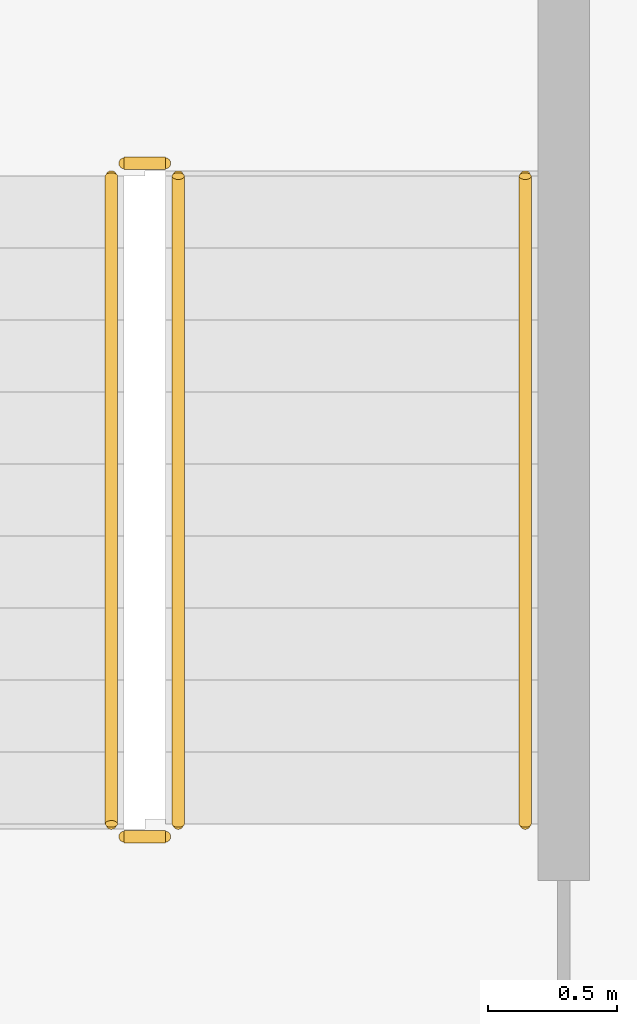
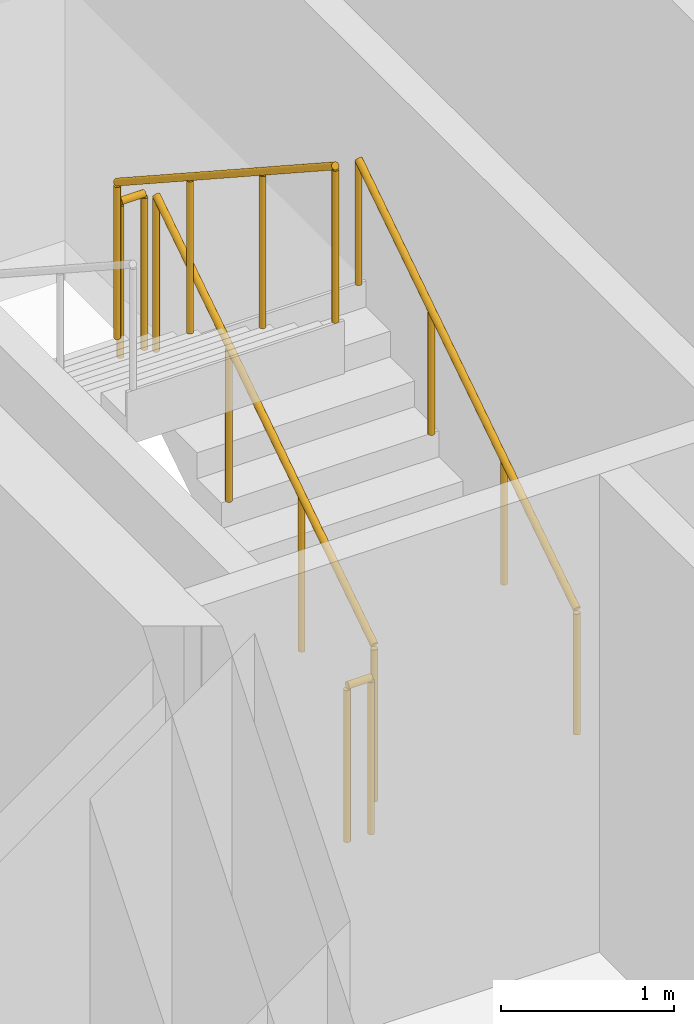
# One storey, part 12 of 14: 5 railings.
"""IFC4 building model written with IfcOpenShell, lengths in metres."""

from ifc_helpers import new_model, si_unit, direction, frame, origin, origin_2d, place, context, subcontext, project, spatial, circle, extrude, material, type_object, element, save


model = new_model("IFC4")

# Units and contexts
model_context = context("Model", 3, precision=1e-05, world=origin(), true_north=direction((0.0, 1.0)))
body_context = subcontext(model_context, "Body", "Model", "MODEL_VIEW")
ifc_project = project(units=[si_unit("LENGTHUNIT", "METRE"), si_unit("AREAUNIT", "SQUARE_METRE"), si_unit("VOLUMEUNIT", "CUBIC_METRE"), si_unit("PLANEANGLEUNIT", "RADIAN"), si_unit("MASSUNIT", "GRAM", prefix="KILO")], contexts=[model_context])

# Site, building, storey
site_placement = place(None, origin())
site = spatial("IfcSite", under=ifc_project, at=site_placement, CompositionType="ELEMENT")
building_placement = place(site_placement, origin())
building = spatial("IfcBuilding", under=site, at=building_placement, Name="Nuvemarco Arch Tower", CompositionType="ELEMENT")
storey_placement = place(building_placement, frame((0.0, 0.0, 101.949951171875)))
storey = spatial("IfcBuildingStorey", under=building, at=storey_placement, Name="L26", CompositionType="ELEMENT", Elevation=101.949951171875)

# Railings
ifc_material_1 = material(Name="Brushed stainless steel handrail", Category="steel")
railing_type_1 = type_object("IfcRailingType", Name="RL-HANDRAIL-900", PredefinedType="HANDRAIL", material=ifc_material_1)
railing_1_placement = place(storey_placement, frame((-13.590087890625, 2.64990234375, 0.1826171875)))
element("IfcRailing", 1, at=railing_1_placement, inside=storey, type_object=railing_type_1, Name="L26 ST-1 stair handrail 1", PredefinedType="HANDRAIL", context=body_context, shape_type="SweptSolid", body=[
    extrude(circle(Radius=0.02392578125, at=origin_2d()), frame((0.0, 0.0, 0.8759765625), z_axis=(0.0, 0.837786554691, 0.545997883492), x_axis=(-1.0, 0.0, 0.0)), (0.0, 0.0, 1.0), 3.008056640625),
    extrude(circle(Radius=0.02099609375, at=origin_2d()), origin(), (0.0, 0.0, 1.0), 0.851806640625),
    extrude(circle(Radius=0.02099609375, at=origin_2d()), frame((0.0, 0.840087890625, 0.54736328125)), (0.0, 0.0, 1.0), 0.851806640625),
    extrude(circle(Radius=0.02099609375, at=origin_2d()), frame((0.0, 1.679931640625, 1.094970703125)), (0.0, 0.0, 1.0), 0.851806640625),
    extrude(circle(Radius=0.02099609375, at=origin_2d()), frame((0.0, 2.52001953125, 1.642333984375)), (0.0, 0.0, 1.0), 0.851806640625),
])
ifc_material_2 = material(Name="Painted balustrade steel S355", Category="steel")
railing_type_2 = type_object("IfcRailingType", Name="RL-STAIR-GUARD", PredefinedType="GUARDRAIL", material=ifc_material_2)
railing_2_placement = place(storey_placement, frame((-14.93994140625, 2.64990234375, 0.1826171875)))
element("IfcRailing", 2, at=railing_2_placement, inside=storey, type_object=railing_type_2, Name="L26 ST-1 stair guard 1", PredefinedType="GUARDRAIL", context=body_context, shape_type="SweptSolid", body=[
    extrude(circle(Radius=0.02392578125, at=origin_2d()), frame((0.0, 0.0, 1.09619140625), z_axis=(0.0, 0.837786554691, 0.545997883492), x_axis=(-1.0, 0.0, 0.0)), (0.0, 0.0, 1.0), 3.008056640625),
    extrude(circle(Radius=0.02099609375, at=origin_2d()), origin(), (0.0, 0.0, 1.0), 1.072021484375),
    extrude(circle(Radius=0.02099609375, at=origin_2d()), frame((0.0, 0.840087890625, 0.54736328125)), (0.0, 0.0, 1.0), 1.072021484375),
    extrude(circle(Radius=0.02099609375, at=origin_2d()), frame((0.0, 1.679931640625, 1.094970703125)), (0.0, 0.0, 1.0), 1.072021484375),
    extrude(circle(Radius=0.02099609375, at=origin_2d()), frame((0.0, 2.52001953125, 1.642333984375)), (0.0, 0.0, 1.0), 1.072021484375),
])
railing_3_placement = place(storey_placement, frame((-14.989990234375, 5.219970703125, 1.824951171875)))
element("IfcRailing", 3, at=railing_3_placement, inside=storey, type_object=railing_type_2, Name="L26 ST-1 stair guard 2", PredefinedType="GUARDRAIL", context=body_context, shape_type="SweptSolid", body=[
    extrude(circle(Radius=0.02392578125, at=origin_2d()), frame((0.0, 0.0, 1.09619140625), z_axis=(-1.0, 0.0, 0.0), x_axis=(0.0, -1.0, 0.0)), (0.0, 0.0, 1.0), 0.159912109375),
    extrude(circle(Radius=0.02099609375, at=origin_2d()), origin(), (0.0, 0.0, 1.0), 1.072021484375),
    extrude(circle(Radius=0.02099609375, at=origin_2d()), frame((-0.159912109375, 0.0, 0.0)), (0.0, 0.0, 1.0), 1.072021484375),
])
railing_4_placement = place(storey_placement, frame((-15.199951171875, 5.169921875, 2.007568359375)))
element("IfcRailing", 4, at=railing_4_placement, inside=storey, type_object=railing_type_2, Name="L26 ST-1 stair guard 3", PredefinedType="GUARDRAIL", context=body_context, shape_type="SweptSolid", body=[
    extrude(circle(Radius=0.02392578125, at=origin_2d()), frame((0.0, 0.0, 1.09619140625), z_axis=(0.0, -0.837749427056, 0.546054848405), x_axis=(1.0, 0.0, 0.0)), (0.0, 0.0, 1.0), 3.008056640625),
    extrude(circle(Radius=0.02099609375, at=origin_2d()), origin(), (0.0, 0.0, 1.0), 1.072021484375),
    extrude(circle(Radius=0.02099609375, at=origin_2d()), frame((0.0, -0.840087890625, 0.547607421875)), (0.0, 0.0, 1.0), 1.072021484375),
    extrude(circle(Radius=0.02099609375, at=origin_2d()), frame((0.0, -1.679931640625, 1.094970703125)), (0.0, 0.0, 1.0), 1.072021484375),
    extrude(circle(Radius=0.02099609375, at=origin_2d()), frame((0.0, -2.52001953125, 1.642578125)), (0.0, 0.0, 1.0), 1.072021484375),
])
railing_5_placement = place(storey_placement, frame((-14.989990234375, 2.60009765625, 0.0)))
element("IfcRailing", 5, at=railing_5_placement, inside=storey, type_object=railing_type_2, Name="L26 ST-1 stair guard 4", PredefinedType="GUARDRAIL", context=body_context, shape_type="SweptSolid", body=[
    extrude(circle(Radius=0.02392578125, at=origin_2d()), frame((0.0, 0.0, 1.09619140625), z_axis=(-1.0, 0.0, 0.0), x_axis=(0.0, -1.0, 0.0)), (0.0, 0.0, 1.0), 0.159912109375),
    extrude(circle(Radius=0.02099609375, at=origin_2d()), origin(), (0.0, 0.0, 1.0), 1.072021484375),
    extrude(circle(Radius=0.02099609375, at=origin_2d()), frame((-0.159912109375, 0.0, 0.0)), (0.0, 0.0, 1.0), 1.072021484375),
])

save(model, "model.ifc")
